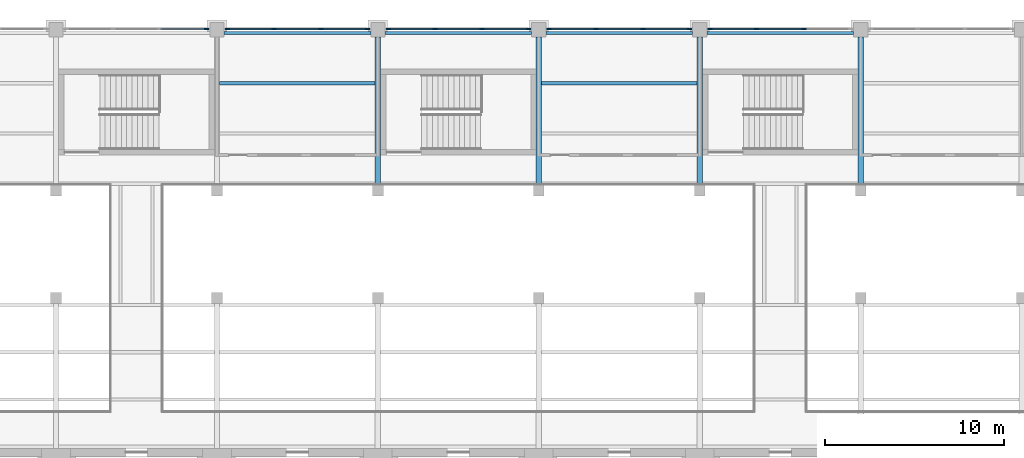
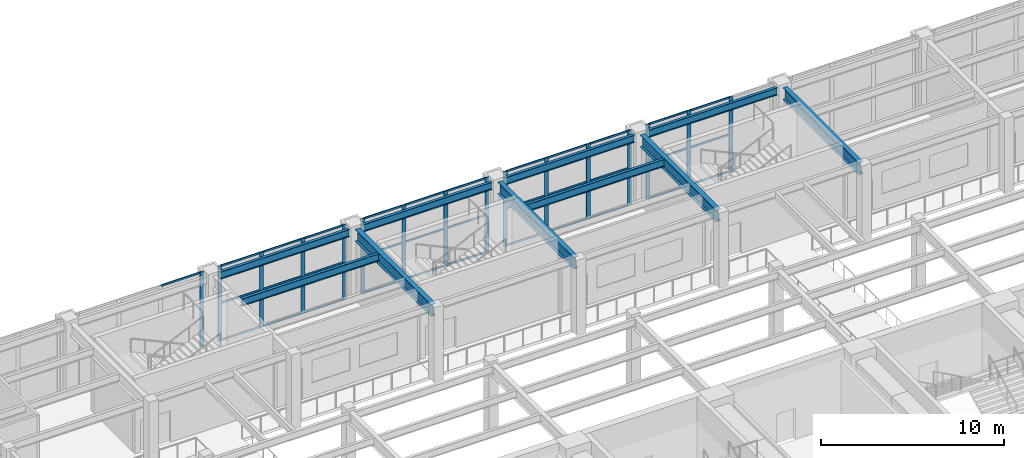
# One storey, part 23 of 76: 50 members, 10 beams, 5 elements without a shape of their own.
"""IFC4 building model written with IfcOpenShell, lengths in metres."""

from ifc_helpers import new_model, si_unit, direction, frame, origin, origin_2d, place, context, subcontext, project, spatial, rectangle, i_section, extrude, material, material_profile, profile_set, type_object, element, aggregate, save


model = new_model("IFC4")

# Units and contexts
model_context = context("Model", 3, precision=1e-05, world=origin(), true_north=direction((0.0, 1.0)))
body_context = subcontext(model_context, "Body", "Model", "MODEL_VIEW")
ifc_project = project(units=[si_unit("LENGTHUNIT", "METRE"), si_unit("AREAUNIT", "SQUARE_METRE"), si_unit("VOLUMEUNIT", "CUBIC_METRE"), si_unit("PLANEANGLEUNIT", "RADIAN"), si_unit("MASSUNIT", "GRAM", prefix="KILO")], contexts=[model_context])

# Site, building, storey
site_placement = place(None, origin())
site = spatial("IfcSite", under=ifc_project, at=site_placement, CompositionType="ELEMENT")
building_placement = place(site_placement, origin())
building = spatial("IfcBuilding", under=site, at=building_placement, Name="Aravalli Gate Trade Fair Centre", CompositionType="ELEMENT")
storey_placement = place(building_placement, frame((0.0, 0.0, 10.0)))
storey = spatial("IfcBuildingStorey", under=building, at=storey_placement, Name="L02", CompositionType="ELEMENT", Elevation=10.0)

# Curtain wall, member
ifc_material_1 = material(Name="Aluminium and glass", Category="aluminium")
curtain_wall_type = type_object("IfcCurtainWallType", Name="Curtain wall 3000 module, tall", PredefinedType="NOTDEFINED", material=ifc_material_1)
curtain_wall_1_placement = place(storey_placement, origin())
curtain_wall_1 = element("IfcCurtainWall", 1, at=curtain_wall_1_placement, inside=storey, type_object=curtain_wall_type, Name="Curtain wall north bay 4 L02", PredefinedType="NOTDEFINED")
ifc_material_2 = material(Name="Aluminium", Category="aluminium")
ifc_material_profile_1 = material_profile(ifc_material_2, rectangle(XDim=0.06005859375, YDim=0.25, at=origin_2d()), Name="Concourse curtain wall mullion 60 x 250")
ifc_profile_set_1 = profile_set([ifc_material_profile_1], Name="Aluminium")
member_type_1 = type_object("IfcMemberType", Name="Concourse curtain wall mullion 60 x 250", PredefinedType="MULLION", material=ifc_profile_set_1)
member_1_placement = place(storey_placement, frame((41.419921875, 133.044921875, 0.0), z_axis=(0.0, 0.0, 1.0), x_axis=(0.0, 1.0, 0.0)))
member_1 = element("IfcMember", 2, at=member_1_placement, type_object=member_type_1, Name="CW3 mullion 4", PredefinedType="MULLION", context=body_context, shape_type="SweptSolid", body=[
    extrude(rectangle(XDim=0.06005859375, YDim=0.25, at=origin_2d()), origin(), (0.0, 0.0, 1.0), 5.0),
])

# Curtain wall, members
curtain_wall_2_placement = place(storey_placement, origin())
curtain_wall_2 = element("IfcCurtainWall", 3, at=curtain_wall_2_placement, inside=storey, type_object=curtain_wall_type, Name="Curtain wall north bay 5 L02", PredefinedType="NOTDEFINED")
member_2_placement = place(storey_placement, frame((42.580078125, 133.044921875, 0.0), z_axis=(0.0, 0.0, 1.0), x_axis=(0.0, 1.0, 0.0)))
member_2 = element("IfcMember", 4, at=member_2_placement, type_object=member_type_1, Name="CW3 mullion 1", PredefinedType="MULLION", context=body_context, shape_type="SweptSolid", body=[
    extrude(rectangle(XDim=0.06005859375, YDim=0.25, at=origin_2d()), origin(), (0.0, 0.0, 1.0), 5.0),
])
member_3_placement = place(storey_placement, frame((45.183349609375, 133.044921875, 0.0), z_axis=(0.0, 0.0, 1.0), x_axis=(0.0, 1.0, 0.0)))
member_3 = element("IfcMember", 5, at=member_3_placement, type_object=member_type_1, Name="CW3 mullion 2", PredefinedType="MULLION", context=body_context, shape_type="SweptSolid", body=[
    extrude(rectangle(XDim=0.06005859375, YDim=0.25, at=origin_2d()), origin(), (0.0, 0.0, 1.0), 5.0),
])
member_4_placement = place(storey_placement, frame((47.816650390625, 133.044921875, 0.0), z_axis=(0.0, 0.0, 1.0), x_axis=(0.0, 1.0, 0.0)))
member_4 = element("IfcMember", 6, at=member_4_placement, type_object=member_type_1, Name="CW3 mullion 3", PredefinedType="MULLION", context=body_context, shape_type="SweptSolid", body=[
    extrude(rectangle(XDim=0.06005859375, YDim=0.25, at=origin_2d()), origin(), (0.0, 0.0, 1.0), 5.0),
])
member_5_placement = place(storey_placement, frame((50.419921875, 133.044921875, 0.0), z_axis=(0.0, 0.0, 1.0), x_axis=(0.0, 1.0, 0.0)))
member_5 = element("IfcMember", 7, at=member_5_placement, type_object=member_type_1, Name="CW3 mullion 4", PredefinedType="MULLION", context=body_context, shape_type="SweptSolid", body=[
    extrude(rectangle(XDim=0.06005859375, YDim=0.25, at=origin_2d()), origin(), (0.0, 0.0, 1.0), 5.0),
])

curtain_wall_3_placement = place(storey_placement, origin())
curtain_wall_3 = element("IfcCurtainWall", 8, at=curtain_wall_3_placement, inside=storey, type_object=curtain_wall_type, Name="Curtain wall north bay 6 L02", PredefinedType="NOTDEFINED")
member_6_placement = place(storey_placement, frame((51.580078125, 133.044921875, 0.0), z_axis=(0.0, 0.0, 1.0), x_axis=(0.0, 1.0, 0.0)))
member_6 = element("IfcMember", 9, at=member_6_placement, type_object=member_type_1, Name="CW3 mullion 1", PredefinedType="MULLION", context=body_context, shape_type="SweptSolid", body=[
    extrude(rectangle(XDim=0.06005859375, YDim=0.25, at=origin_2d()), origin(), (0.0, 0.0, 1.0), 5.0),
])
member_7_placement = place(storey_placement, frame((54.183349609375, 133.044921875, 0.0), z_axis=(0.0, 0.0, 1.0), x_axis=(0.0, 1.0, 0.0)))
member_7 = element("IfcMember", 10, at=member_7_placement, type_object=member_type_1, Name="CW3 mullion 2", PredefinedType="MULLION", context=body_context, shape_type="SweptSolid", body=[
    extrude(rectangle(XDim=0.06005859375, YDim=0.25, at=origin_2d()), origin(), (0.0, 0.0, 1.0), 5.0),
])
member_8_placement = place(storey_placement, frame((56.816650390625, 133.044921875, 0.0), z_axis=(0.0, 0.0, 1.0), x_axis=(0.0, 1.0, 0.0)))
member_8 = element("IfcMember", 11, at=member_8_placement, type_object=member_type_1, Name="CW3 mullion 3", PredefinedType="MULLION", context=body_context, shape_type="SweptSolid", body=[
    extrude(rectangle(XDim=0.06005859375, YDim=0.25, at=origin_2d()), origin(), (0.0, 0.0, 1.0), 5.0),
])
member_9_placement = place(storey_placement, frame((59.419921875, 133.044921875, 0.0), z_axis=(0.0, 0.0, 1.0), x_axis=(0.0, 1.0, 0.0)))
member_9 = element("IfcMember", 12, at=member_9_placement, type_object=member_type_1, Name="CW3 mullion 4", PredefinedType="MULLION", context=body_context, shape_type="SweptSolid", body=[
    extrude(rectangle(XDim=0.06005859375, YDim=0.25, at=origin_2d()), origin(), (0.0, 0.0, 1.0), 5.0),
])

curtain_wall_4_placement = place(storey_placement, origin())
curtain_wall_4 = element("IfcCurtainWall", 13, at=curtain_wall_4_placement, inside=storey, type_object=curtain_wall_type, Name="Curtain wall north bay 7 L02", PredefinedType="NOTDEFINED")
member_10_placement = place(storey_placement, frame((60.580078125, 133.044921875, 0.0), z_axis=(0.0, 0.0, 1.0), x_axis=(0.0, 1.0, 0.0)))
member_10 = element("IfcMember", 14, at=member_10_placement, type_object=member_type_1, Name="CW3 mullion 1", PredefinedType="MULLION", context=body_context, shape_type="SweptSolid", body=[
    extrude(rectangle(XDim=0.06005859375, YDim=0.25, at=origin_2d()), origin(), (0.0, 0.0, 1.0), 5.0),
])
member_11_placement = place(storey_placement, frame((63.183349609375, 133.044921875, 0.0), z_axis=(0.0, 0.0, 1.0), x_axis=(0.0, 1.0, 0.0)))
member_11 = element("IfcMember", 15, at=member_11_placement, type_object=member_type_1, Name="CW3 mullion 2", PredefinedType="MULLION", context=body_context, shape_type="SweptSolid", body=[
    extrude(rectangle(XDim=0.06005859375, YDim=0.25, at=origin_2d()), origin(), (0.0, 0.0, 1.0), 5.0),
])
member_12_placement = place(storey_placement, frame((65.816650390625, 133.044921875, 0.0), z_axis=(0.0, 0.0, 1.0), x_axis=(0.0, 1.0, 0.0)))
member_12 = element("IfcMember", 16, at=member_12_placement, type_object=member_type_1, Name="CW3 mullion 3", PredefinedType="MULLION", context=body_context, shape_type="SweptSolid", body=[
    extrude(rectangle(XDim=0.06005859375, YDim=0.25, at=origin_2d()), origin(), (0.0, 0.0, 1.0), 5.0),
])
member_13_placement = place(storey_placement, frame((68.419921875, 133.044921875, 0.0), z_axis=(0.0, 0.0, 1.0), x_axis=(0.0, 1.0, 0.0)))
member_13 = element("IfcMember", 17, at=member_13_placement, type_object=member_type_1, Name="CW3 mullion 4", PredefinedType="MULLION", context=body_context, shape_type="SweptSolid", body=[
    extrude(rectangle(XDim=0.06005859375, YDim=0.25, at=origin_2d()), origin(), (0.0, 0.0, 1.0), 5.0),
])

curtain_wall_5_placement = place(storey_placement, origin())
curtain_wall_5 = element("IfcCurtainWall", 18, at=curtain_wall_5_placement, inside=storey, type_object=curtain_wall_type, Name="Curtain wall north bay 8 L02", PredefinedType="NOTDEFINED")
member_14_placement = place(storey_placement, frame((69.580078125, 133.044921875, 0.0), z_axis=(0.0, 0.0, 1.0), x_axis=(0.0, 1.0, 0.0)))
member_14 = element("IfcMember", 19, at=member_14_placement, type_object=member_type_1, Name="CW3 mullion 1", PredefinedType="MULLION", context=body_context, shape_type="SweptSolid", body=[
    extrude(rectangle(XDim=0.06005859375, YDim=0.25, at=origin_2d()), origin(), (0.0, 0.0, 1.0), 5.0),
])
member_15_placement = place(storey_placement, frame((72.183349609375, 133.044921875, 0.0), z_axis=(0.0, 0.0, 1.0), x_axis=(0.0, 1.0, 0.0)))
member_15 = element("IfcMember", 20, at=member_15_placement, type_object=member_type_1, Name="CW3 mullion 2", PredefinedType="MULLION", context=body_context, shape_type="SweptSolid", body=[
    extrude(rectangle(XDim=0.06005859375, YDim=0.25, at=origin_2d()), origin(), (0.0, 0.0, 1.0), 5.0),
])
member_16_placement = place(storey_placement, frame((74.816650390625, 133.044921875, 0.0), z_axis=(0.0, 0.0, 1.0), x_axis=(0.0, 1.0, 0.0)))
member_16 = element("IfcMember", 21, at=member_16_placement, type_object=member_type_1, Name="CW3 mullion 3", PredefinedType="MULLION", context=body_context, shape_type="SweptSolid", body=[
    extrude(rectangle(XDim=0.06005859375, YDim=0.25, at=origin_2d()), origin(), (0.0, 0.0, 1.0), 5.0),
])

# Member
ifc_material_profile_2 = material_profile(ifc_material_2, rectangle(XDim=0.06005859375, YDim=0.1201171875, at=origin_2d()), Name="Concourse curtain wall transom 60 x 120")
ifc_profile_set_2 = profile_set([ifc_material_profile_2], Name="Aluminium")
member_type_2 = type_object("IfcMemberType", Name="Concourse curtain wall transom 60 x 120", PredefinedType="USERDEFINED", material=ifc_profile_set_2)
member_17_placement = place(storey_placement, frame((38.8466796875, 133.044921875, 4.969970703125), z_axis=(1.0, 0.0, 0.0), x_axis=(0.0, 1.0, 0.0)))
member_17 = element("IfcMember", 22, at=member_17_placement, type_object=member_type_2, Name="CW3 transom 3.3", ObjectType="TRANSOM", PredefinedType="USERDEFINED", context=body_context, shape_type="SweptSolid", body=[
    extrude(rectangle(XDim=0.06005859375, YDim=0.1201171875, at=origin_2d()), origin(), (0.0, 0.0, 1.0), 2.543212890625),
])

aggregate(curtain_wall_1, [member_1, member_17])

member_18_placement = place(storey_placement, frame((42.610107421875, 133.044921875, 0.030029296875), z_axis=(1.0, 0.0, 0.0), x_axis=(0.0, 1.0, 0.0)))
member_18 = element("IfcMember", 23, at=member_18_placement, type_object=member_type_2, Name="CW3 transom 1.1", ObjectType="TRANSOM", PredefinedType="USERDEFINED", context=body_context, shape_type="SweptSolid", body=[
    extrude(rectangle(XDim=0.06005859375, YDim=0.1201171875, at=origin_2d()), origin(), (0.0, 0.0, 1.0), 2.543212890625),
])

member_19_placement = place(storey_placement, frame((42.610107421875, 133.044921875, 2.5), z_axis=(1.0, 0.0, 0.0), x_axis=(0.0, 1.0, 0.0)))
member_19 = element("IfcMember", 24, at=member_19_placement, type_object=member_type_2, Name="CW3 transom 1.2", ObjectType="TRANSOM", PredefinedType="USERDEFINED", context=body_context, shape_type="SweptSolid", body=[
    extrude(rectangle(XDim=0.06005859375, YDim=0.1201171875, at=origin_2d()), origin(), (0.0, 0.0, 1.0), 2.543212890625),
])

member_20_placement = place(storey_placement, frame((42.610107421875, 133.044921875, 4.969970703125), z_axis=(1.0, 0.0, 0.0), x_axis=(0.0, 1.0, 0.0)))
member_20 = element("IfcMember", 25, at=member_20_placement, type_object=member_type_2, Name="CW3 transom 1.3", ObjectType="TRANSOM", PredefinedType="USERDEFINED", context=body_context, shape_type="SweptSolid", body=[
    extrude(rectangle(XDim=0.06005859375, YDim=0.1201171875, at=origin_2d()), origin(), (0.0, 0.0, 1.0), 2.543212890625),
])

member_21_placement = place(storey_placement, frame((45.21337890625, 133.044921875, 0.030029296875), z_axis=(1.0, 0.0, 0.0), x_axis=(0.0, 1.0, 0.0)))
member_21 = element("IfcMember", 26, at=member_21_placement, type_object=member_type_2, Name="CW3 transom 2.1", ObjectType="TRANSOM", PredefinedType="USERDEFINED", context=body_context, shape_type="SweptSolid", body=[
    extrude(rectangle(XDim=0.06005859375, YDim=0.1201171875, at=origin_2d()), origin(), (0.0, 0.0, 1.0), 2.5732421875),
])

member_22_placement = place(storey_placement, frame((45.21337890625, 133.044921875, 2.5), z_axis=(1.0, 0.0, 0.0), x_axis=(0.0, 1.0, 0.0)))
member_22 = element("IfcMember", 27, at=member_22_placement, type_object=member_type_2, Name="CW3 transom 2.2", ObjectType="TRANSOM", PredefinedType="USERDEFINED", context=body_context, shape_type="SweptSolid", body=[
    extrude(rectangle(XDim=0.06005859375, YDim=0.1201171875, at=origin_2d()), origin(), (0.0, 0.0, 1.0), 2.5732421875),
])

member_23_placement = place(storey_placement, frame((45.21337890625, 133.044921875, 4.969970703125), z_axis=(1.0, 0.0, 0.0), x_axis=(0.0, 1.0, 0.0)))
member_23 = element("IfcMember", 28, at=member_23_placement, type_object=member_type_2, Name="CW3 transom 2.3", ObjectType="TRANSOM", PredefinedType="USERDEFINED", context=body_context, shape_type="SweptSolid", body=[
    extrude(rectangle(XDim=0.06005859375, YDim=0.1201171875, at=origin_2d()), origin(), (0.0, 0.0, 1.0), 2.5732421875),
])

member_24_placement = place(storey_placement, frame((47.8466796875, 133.044921875, 0.030029296875), z_axis=(1.0, 0.0, 0.0), x_axis=(0.0, 1.0, 0.0)))
member_24 = element("IfcMember", 29, at=member_24_placement, type_object=member_type_2, Name="CW3 transom 3.1", ObjectType="TRANSOM", PredefinedType="USERDEFINED", context=body_context, shape_type="SweptSolid", body=[
    extrude(rectangle(XDim=0.06005859375, YDim=0.1201171875, at=origin_2d()), origin(), (0.0, 0.0, 1.0), 2.543212890625),
])

member_25_placement = place(storey_placement, frame((47.8466796875, 133.044921875, 2.5), z_axis=(1.0, 0.0, 0.0), x_axis=(0.0, 1.0, 0.0)))
member_25 = element("IfcMember", 30, at=member_25_placement, type_object=member_type_2, Name="CW3 transom 3.2", ObjectType="TRANSOM", PredefinedType="USERDEFINED", context=body_context, shape_type="SweptSolid", body=[
    extrude(rectangle(XDim=0.06005859375, YDim=0.1201171875, at=origin_2d()), origin(), (0.0, 0.0, 1.0), 2.543212890625),
])

member_26_placement = place(storey_placement, frame((47.8466796875, 133.044921875, 4.969970703125), z_axis=(1.0, 0.0, 0.0), x_axis=(0.0, 1.0, 0.0)))
member_26 = element("IfcMember", 31, at=member_26_placement, type_object=member_type_2, Name="CW3 transom 3.3", ObjectType="TRANSOM", PredefinedType="USERDEFINED", context=body_context, shape_type="SweptSolid", body=[
    extrude(rectangle(XDim=0.06005859375, YDim=0.1201171875, at=origin_2d()), origin(), (0.0, 0.0, 1.0), 2.543212890625),
])

aggregate(curtain_wall_2, [member_2, member_3, member_4, member_5, member_18, member_19, member_20, member_21, member_22, member_23, member_24, member_25, member_26])

member_27_placement = place(storey_placement, frame((51.610107421875, 133.044921875, 0.030029296875), z_axis=(1.0, 0.0, 0.0), x_axis=(0.0, 1.0, 0.0)))
member_27 = element("IfcMember", 32, at=member_27_placement, type_object=member_type_2, Name="CW3 transom 1.1", ObjectType="TRANSOM", PredefinedType="USERDEFINED", context=body_context, shape_type="SweptSolid", body=[
    extrude(rectangle(XDim=0.06005859375, YDim=0.1201171875, at=origin_2d()), origin(), (0.0, 0.0, 1.0), 2.543212890625),
])

member_28_placement = place(storey_placement, frame((51.610107421875, 133.044921875, 2.5), z_axis=(1.0, 0.0, 0.0), x_axis=(0.0, 1.0, 0.0)))
member_28 = element("IfcMember", 33, at=member_28_placement, type_object=member_type_2, Name="CW3 transom 1.2", ObjectType="TRANSOM", PredefinedType="USERDEFINED", context=body_context, shape_type="SweptSolid", body=[
    extrude(rectangle(XDim=0.06005859375, YDim=0.1201171875, at=origin_2d()), origin(), (0.0, 0.0, 1.0), 2.543212890625),
])

member_29_placement = place(storey_placement, frame((51.610107421875, 133.044921875, 4.969970703125), z_axis=(1.0, 0.0, 0.0), x_axis=(0.0, 1.0, 0.0)))
member_29 = element("IfcMember", 34, at=member_29_placement, type_object=member_type_2, Name="CW3 transom 1.3", ObjectType="TRANSOM", PredefinedType="USERDEFINED", context=body_context, shape_type="SweptSolid", body=[
    extrude(rectangle(XDim=0.06005859375, YDim=0.1201171875, at=origin_2d()), origin(), (0.0, 0.0, 1.0), 2.543212890625),
])

member_30_placement = place(storey_placement, frame((54.21337890625, 133.044921875, 0.030029296875), z_axis=(1.0, 0.0, 0.0), x_axis=(0.0, 1.0, 0.0)))
member_30 = element("IfcMember", 35, at=member_30_placement, type_object=member_type_2, Name="CW3 transom 2.1", ObjectType="TRANSOM", PredefinedType="USERDEFINED", context=body_context, shape_type="SweptSolid", body=[
    extrude(rectangle(XDim=0.06005859375, YDim=0.1201171875, at=origin_2d()), origin(), (0.0, 0.0, 1.0), 2.5732421875),
])

member_31_placement = place(storey_placement, frame((54.21337890625, 133.044921875, 2.5), z_axis=(1.0, 0.0, 0.0), x_axis=(0.0, 1.0, 0.0)))
member_31 = element("IfcMember", 36, at=member_31_placement, type_object=member_type_2, Name="CW3 transom 2.2", ObjectType="TRANSOM", PredefinedType="USERDEFINED", context=body_context, shape_type="SweptSolid", body=[
    extrude(rectangle(XDim=0.06005859375, YDim=0.1201171875, at=origin_2d()), origin(), (0.0, 0.0, 1.0), 2.5732421875),
])

member_32_placement = place(storey_placement, frame((54.21337890625, 133.044921875, 4.969970703125), z_axis=(1.0, 0.0, 0.0), x_axis=(0.0, 1.0, 0.0)))
member_32 = element("IfcMember", 37, at=member_32_placement, type_object=member_type_2, Name="CW3 transom 2.3", ObjectType="TRANSOM", PredefinedType="USERDEFINED", context=body_context, shape_type="SweptSolid", body=[
    extrude(rectangle(XDim=0.06005859375, YDim=0.1201171875, at=origin_2d()), origin(), (0.0, 0.0, 1.0), 2.5732421875),
])

member_33_placement = place(storey_placement, frame((56.8466796875, 133.044921875, 0.030029296875), z_axis=(1.0, 0.0, 0.0), x_axis=(0.0, 1.0, 0.0)))
member_33 = element("IfcMember", 38, at=member_33_placement, type_object=member_type_2, Name="CW3 transom 3.1", ObjectType="TRANSOM", PredefinedType="USERDEFINED", context=body_context, shape_type="SweptSolid", body=[
    extrude(rectangle(XDim=0.06005859375, YDim=0.1201171875, at=origin_2d()), origin(), (0.0, 0.0, 1.0), 2.543212890625),
])

member_34_placement = place(storey_placement, frame((56.8466796875, 133.044921875, 2.5), z_axis=(1.0, 0.0, 0.0), x_axis=(0.0, 1.0, 0.0)))
member_34 = element("IfcMember", 39, at=member_34_placement, type_object=member_type_2, Name="CW3 transom 3.2", ObjectType="TRANSOM", PredefinedType="USERDEFINED", context=body_context, shape_type="SweptSolid", body=[
    extrude(rectangle(XDim=0.06005859375, YDim=0.1201171875, at=origin_2d()), origin(), (0.0, 0.0, 1.0), 2.543212890625),
])

member_35_placement = place(storey_placement, frame((56.8466796875, 133.044921875, 4.969970703125), z_axis=(1.0, 0.0, 0.0), x_axis=(0.0, 1.0, 0.0)))
member_35 = element("IfcMember", 40, at=member_35_placement, type_object=member_type_2, Name="CW3 transom 3.3", ObjectType="TRANSOM", PredefinedType="USERDEFINED", context=body_context, shape_type="SweptSolid", body=[
    extrude(rectangle(XDim=0.06005859375, YDim=0.1201171875, at=origin_2d()), origin(), (0.0, 0.0, 1.0), 2.543212890625),
])

aggregate(curtain_wall_3, [member_6, member_7, member_8, member_9, member_27, member_28, member_29, member_30, member_31, member_32, member_33, member_34, member_35])

member_36_placement = place(storey_placement, frame((60.610107421875, 133.044921875, 0.030029296875), z_axis=(1.0, 0.0, 0.0), x_axis=(0.0, 1.0, 0.0)))
member_36 = element("IfcMember", 41, at=member_36_placement, type_object=member_type_2, Name="CW3 transom 1.1", ObjectType="TRANSOM", PredefinedType="USERDEFINED", context=body_context, shape_type="SweptSolid", body=[
    extrude(rectangle(XDim=0.06005859375, YDim=0.1201171875, at=origin_2d()), origin(), (0.0, 0.0, 1.0), 2.543212890625),
])

member_37_placement = place(storey_placement, frame((60.610107421875, 133.044921875, 2.5), z_axis=(1.0, 0.0, 0.0), x_axis=(0.0, 1.0, 0.0)))
member_37 = element("IfcMember", 42, at=member_37_placement, type_object=member_type_2, Name="CW3 transom 1.2", ObjectType="TRANSOM", PredefinedType="USERDEFINED", context=body_context, shape_type="SweptSolid", body=[
    extrude(rectangle(XDim=0.06005859375, YDim=0.1201171875, at=origin_2d()), origin(), (0.0, 0.0, 1.0), 2.543212890625),
])

member_38_placement = place(storey_placement, frame((60.610107421875, 133.044921875, 4.969970703125), z_axis=(1.0, 0.0, 0.0), x_axis=(0.0, 1.0, 0.0)))
member_38 = element("IfcMember", 43, at=member_38_placement, type_object=member_type_2, Name="CW3 transom 1.3", ObjectType="TRANSOM", PredefinedType="USERDEFINED", context=body_context, shape_type="SweptSolid", body=[
    extrude(rectangle(XDim=0.06005859375, YDim=0.1201171875, at=origin_2d()), origin(), (0.0, 0.0, 1.0), 2.543212890625),
])

member_39_placement = place(storey_placement, frame((63.21337890625, 133.044921875, 0.030029296875), z_axis=(1.0, 0.0, 0.0), x_axis=(0.0, 1.0, 0.0)))
member_39 = element("IfcMember", 44, at=member_39_placement, type_object=member_type_2, Name="CW3 transom 2.1", ObjectType="TRANSOM", PredefinedType="USERDEFINED", context=body_context, shape_type="SweptSolid", body=[
    extrude(rectangle(XDim=0.06005859375, YDim=0.1201171875, at=origin_2d()), origin(), (0.0, 0.0, 1.0), 2.5732421875),
])

member_40_placement = place(storey_placement, frame((63.21337890625, 133.044921875, 2.5), z_axis=(1.0, 0.0, 0.0), x_axis=(0.0, 1.0, 0.0)))
member_40 = element("IfcMember", 45, at=member_40_placement, type_object=member_type_2, Name="CW3 transom 2.2", ObjectType="TRANSOM", PredefinedType="USERDEFINED", context=body_context, shape_type="SweptSolid", body=[
    extrude(rectangle(XDim=0.06005859375, YDim=0.1201171875, at=origin_2d()), origin(), (0.0, 0.0, 1.0), 2.5732421875),
])

member_41_placement = place(storey_placement, frame((63.21337890625, 133.044921875, 4.969970703125), z_axis=(1.0, 0.0, 0.0), x_axis=(0.0, 1.0, 0.0)))
member_41 = element("IfcMember", 46, at=member_41_placement, type_object=member_type_2, Name="CW3 transom 2.3", ObjectType="TRANSOM", PredefinedType="USERDEFINED", context=body_context, shape_type="SweptSolid", body=[
    extrude(rectangle(XDim=0.06005859375, YDim=0.1201171875, at=origin_2d()), origin(), (0.0, 0.0, 1.0), 2.5732421875),
])

member_42_placement = place(storey_placement, frame((65.8466796875, 133.044921875, 0.030029296875), z_axis=(1.0, 0.0, 0.0), x_axis=(0.0, 1.0, 0.0)))
member_42 = element("IfcMember", 47, at=member_42_placement, type_object=member_type_2, Name="CW3 transom 3.1", ObjectType="TRANSOM", PredefinedType="USERDEFINED", context=body_context, shape_type="SweptSolid", body=[
    extrude(rectangle(XDim=0.06005859375, YDim=0.1201171875, at=origin_2d()), origin(), (0.0, 0.0, 1.0), 2.543212890625),
])

member_43_placement = place(storey_placement, frame((65.8466796875, 133.044921875, 2.5), z_axis=(1.0, 0.0, 0.0), x_axis=(0.0, 1.0, 0.0)))
member_43 = element("IfcMember", 48, at=member_43_placement, type_object=member_type_2, Name="CW3 transom 3.2", ObjectType="TRANSOM", PredefinedType="USERDEFINED", context=body_context, shape_type="SweptSolid", body=[
    extrude(rectangle(XDim=0.06005859375, YDim=0.1201171875, at=origin_2d()), origin(), (0.0, 0.0, 1.0), 2.543212890625),
])

member_44_placement = place(storey_placement, frame((65.8466796875, 133.044921875, 4.969970703125), z_axis=(1.0, 0.0, 0.0), x_axis=(0.0, 1.0, 0.0)))
member_44 = element("IfcMember", 49, at=member_44_placement, type_object=member_type_2, Name="CW3 transom 3.3", ObjectType="TRANSOM", PredefinedType="USERDEFINED", context=body_context, shape_type="SweptSolid", body=[
    extrude(rectangle(XDim=0.06005859375, YDim=0.1201171875, at=origin_2d()), origin(), (0.0, 0.0, 1.0), 2.543212890625),
])

aggregate(curtain_wall_4, [member_10, member_11, member_12, member_13, member_36, member_37, member_38, member_39, member_40, member_41, member_42, member_43, member_44])

member_45_placement = place(storey_placement, frame((69.610107421875, 133.044921875, 0.030029296875), z_axis=(1.0, 0.0, 0.0), x_axis=(0.0, 1.0, 0.0)))
member_45 = element("IfcMember", 50, at=member_45_placement, type_object=member_type_2, Name="CW3 transom 1.1", ObjectType="TRANSOM", PredefinedType="USERDEFINED", context=body_context, shape_type="SweptSolid", body=[
    extrude(rectangle(XDim=0.06005859375, YDim=0.1201171875, at=origin_2d()), origin(), (0.0, 0.0, 1.0), 2.543212890625),
])

member_46_placement = place(storey_placement, frame((69.610107421875, 133.044921875, 2.5), z_axis=(1.0, 0.0, 0.0), x_axis=(0.0, 1.0, 0.0)))
member_46 = element("IfcMember", 51, at=member_46_placement, type_object=member_type_2, Name="CW3 transom 1.2", ObjectType="TRANSOM", PredefinedType="USERDEFINED", context=body_context, shape_type="SweptSolid", body=[
    extrude(rectangle(XDim=0.06005859375, YDim=0.1201171875, at=origin_2d()), origin(), (0.0, 0.0, 1.0), 2.543212890625),
])

member_47_placement = place(storey_placement, frame((69.610107421875, 133.044921875, 4.969970703125), z_axis=(1.0, 0.0, 0.0), x_axis=(0.0, 1.0, 0.0)))
member_47 = element("IfcMember", 52, at=member_47_placement, type_object=member_type_2, Name="CW3 transom 1.3", ObjectType="TRANSOM", PredefinedType="USERDEFINED", context=body_context, shape_type="SweptSolid", body=[
    extrude(rectangle(XDim=0.06005859375, YDim=0.1201171875, at=origin_2d()), origin(), (0.0, 0.0, 1.0), 2.543212890625),
])

member_48_placement = place(storey_placement, frame((72.21337890625, 133.044921875, 0.030029296875), z_axis=(1.0, 0.0, 0.0), x_axis=(0.0, 1.0, 0.0)))
member_48 = element("IfcMember", 53, at=member_48_placement, type_object=member_type_2, Name="CW3 transom 2.1", ObjectType="TRANSOM", PredefinedType="USERDEFINED", context=body_context, shape_type="SweptSolid", body=[
    extrude(rectangle(XDim=0.06005859375, YDim=0.1201171875, at=origin_2d()), origin(), (0.0, 0.0, 1.0), 2.5732421875),
])

member_49_placement = place(storey_placement, frame((72.21337890625, 133.044921875, 2.5), z_axis=(1.0, 0.0, 0.0), x_axis=(0.0, 1.0, 0.0)))
member_49 = element("IfcMember", 54, at=member_49_placement, type_object=member_type_2, Name="CW3 transom 2.2", ObjectType="TRANSOM", PredefinedType="USERDEFINED", context=body_context, shape_type="SweptSolid", body=[
    extrude(rectangle(XDim=0.06005859375, YDim=0.1201171875, at=origin_2d()), origin(), (0.0, 0.0, 1.0), 2.5732421875),
])

member_50_placement = place(storey_placement, frame((72.21337890625, 133.044921875, 4.969970703125), z_axis=(1.0, 0.0, 0.0), x_axis=(0.0, 1.0, 0.0)))
member_50 = element("IfcMember", 55, at=member_50_placement, type_object=member_type_2, Name="CW3 transom 2.3", ObjectType="TRANSOM", PredefinedType="USERDEFINED", context=body_context, shape_type="SweptSolid", body=[
    extrude(rectangle(XDim=0.06005859375, YDim=0.1201171875, at=origin_2d()), origin(), (0.0, 0.0, 1.0), 2.5732421875),
])

aggregate(curtain_wall_5, [member_14, member_15, member_16, member_45, member_46, member_47, member_48, member_49, member_50])

# Beams
ifc_material_3 = material(Name="Steel E350", Category="steel")
ifc_material_profile_3 = material_profile(ifc_material_3, i_section(OverallWidth=0.179931640625, OverallDepth=0.5, WebThickness=0.01025390625, FlangeThickness=0.01708984375, at=origin_2d()), Name="ISMB 500")
ifc_profile_set_3 = profile_set([ifc_material_profile_3], Name="Steel E350")
beam_type_1 = type_object("IfcBeamType", Name="ISMB 500 gallery secondary beam", PredefinedType="JOIST", material=ifc_profile_set_3)
beam_1_placement = place(storey_placement, frame((42.14990234375, 130.0166015625, 4.550048828125), z_axis=(1.0, 0.0, 0.0), x_axis=(0.0, 1.0, 0.0)))
element("IfcBeam", 56, at=beam_1_placement, inside=storey, type_object=beam_type_1, Name="Gallery beam N6 05-06 L03", PredefinedType="JOIST", context=body_context, shape_type="SweptSolid", body=[
    extrude(i_section(OverallWidth=0.179931640625, OverallDepth=0.5, WebThickness=0.01025390625, FlangeThickness=0.01708984375, at=origin_2d()), origin(), (0.0, 0.0, 1.0), 8.7001953125),
])
for number, where, z_axis, x_axis, name in (
    (57, (42.39990234375, 132.830078125, 4.550048828125), (1.0, 0.0, 0.0), (0.0, 1.0, 0.0), "Gallery beam N7 05-06 L03"),
    (58, (51.39990234375, 132.830078125, 4.550048828125), (1.0, 0.0, 0.0), (0.0, 1.0, 0.0), "Gallery beam N7 06-07 L03"),
):
    element("IfcBeam", number, at=place(storey_placement, frame(where, z_axis=z_axis, x_axis=x_axis)), inside=storey, type_object=beam_type_1, Name=name, PredefinedType="JOIST", context=body_context, shape_type="SweptSolid", body=[
        extrude(i_section(OverallWidth=0.179931640625, OverallDepth=0.5, WebThickness=0.01025390625, FlangeThickness=0.01708984375, at=origin_2d()), origin(), (0.0, 0.0, 1.0), 8.2001953125),
    ])
beam_2_placement = place(storey_placement, frame((60.14990234375, 130.0166015625, 4.550048828125), z_axis=(1.0, 0.0, 0.0), x_axis=(0.0, 1.0, 0.0)))
element("IfcBeam", 59, at=beam_2_placement, inside=storey, type_object=beam_type_1, Name="Gallery beam N6 07-08 L03", PredefinedType="JOIST", context=body_context, shape_type="SweptSolid", body=[
    extrude(i_section(OverallWidth=0.179931640625, OverallDepth=0.5, WebThickness=0.01025390625, FlangeThickness=0.01708984375, at=origin_2d()), origin(), (0.0, 0.0, 1.0), 8.7001953125),
])
for number, where, z_axis, x_axis, name in (
    (60, (60.39990234375, 132.830078125, 4.550048828125), (1.0, 0.0, 0.0), (0.0, 1.0, 0.0), "Gallery beam N7 07-08 L03"),
    (61, (69.39990234375, 132.830078125, 4.550048828125), (1.0, 0.0, 0.0), (0.0, 1.0, 0.0), "Gallery beam N7 08-09 L03"),
):
    element("IfcBeam", number, at=place(storey_placement, frame(where, z_axis=z_axis, x_axis=x_axis)), inside=storey, type_object=beam_type_1, Name=name, PredefinedType="JOIST", context=body_context, shape_type="SweptSolid", body=[
        extrude(i_section(OverallWidth=0.179931640625, OverallDepth=0.5, WebThickness=0.01025390625, FlangeThickness=0.01708984375, at=origin_2d()), origin(), (0.0, 0.0, 1.0), 8.2001953125),
    ])
ifc_material_profile_4 = material_profile(ifc_material_3, i_section(OverallWidth=0.300048828125, OverallDepth=0.800048828125, WebThickness=0.011962890625, FlangeThickness=0.02490234375, at=origin_2d()), Name="PG 800x300x12x25")
ifc_profile_set_4 = profile_set([ifc_material_profile_4], Name="Steel E350")
beam_type_2 = type_object("IfcBeamType", Name="PG 800x300x12x25 gallery plate girder", PredefinedType="BEAM", material=ifc_profile_set_4)
for number, where, z_axis, x_axis, name in (
    (62, (51.0, 124.300048828125, 4.39990234375), (0.0, 1.0, 0.0), (-1.0, 0.0, 0.0), "Gallery girder N06 L03"),
    (63, (60.0, 124.300048828125, 4.39990234375), (0.0, 1.0, 0.0), (-1.0, 0.0, 0.0), "Gallery girder N07 L03"),
    (64, (69.0, 124.300048828125, 4.39990234375), (0.0, 1.0, 0.0), (-1.0, 0.0, 0.0), "Gallery girder N08 L03"),
    (65, (78.0, 124.300048828125, 4.39990234375), (0.0, 1.0, 0.0), (-1.0, 0.0, 0.0), "Gallery girder N09 L03"),
):
    element("IfcBeam", number, at=place(storey_placement, frame(where, z_axis=z_axis, x_axis=x_axis)), inside=storey, type_object=beam_type_2, Name=name, PredefinedType="BEAM", context=body_context, shape_type="SweptSolid", body=[
        extrude(i_section(OverallWidth=0.300048828125, OverallDepth=0.800048828125, WebThickness=0.011962890625, FlangeThickness=0.02490234375, at=origin_2d()), origin(), (0.0, 0.0, 1.0), 8.300048828125),
    ])

save(model, "model.ifc")
